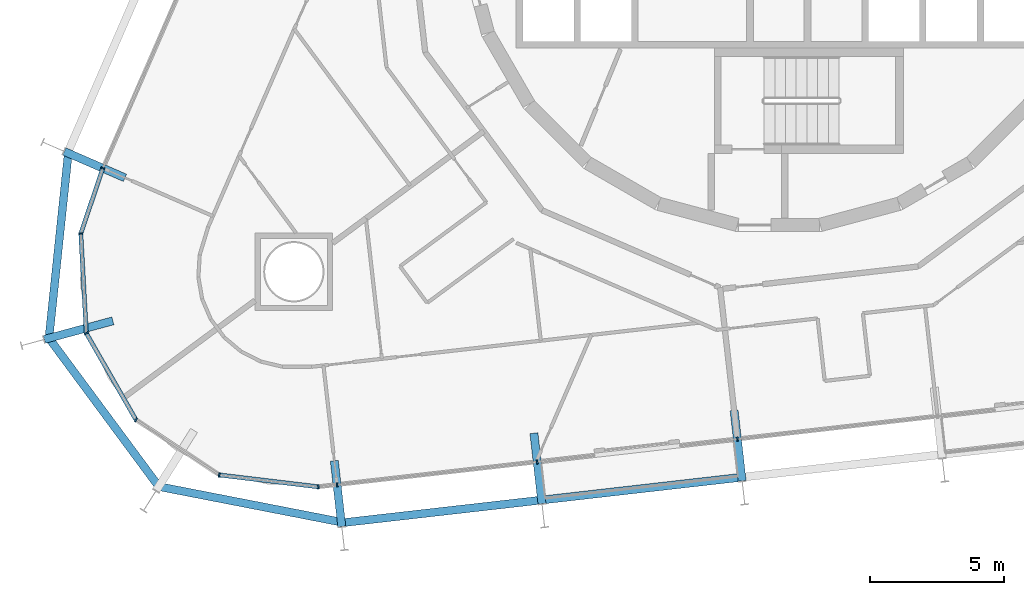
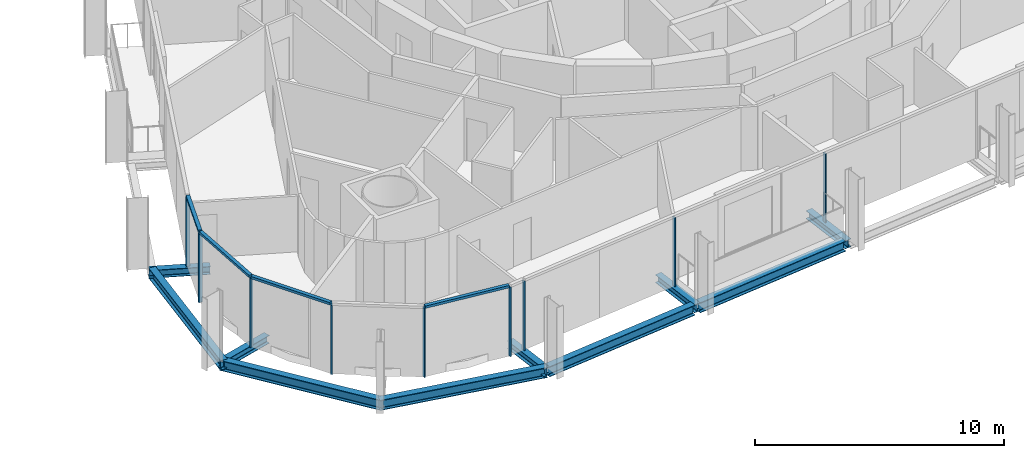
# One storey, part 3 of 23: 13 members, 10 beams, 2 elements without a shape of their own.
"""IFC4 building model written with IfcOpenShell, lengths in metres."""

import ifcopenshell
import ifcopenshell.guid

model = None  # the IFC model being written
_history = None  # IfcOwnerHistory: only IFC2X3 demands one
_inside = {}  # id of a spatial element -> (the spatial element, [elements in it])
_under = {}  # id of a project, library or spatial element -> (it, [spatial elements below it])
_declared = {}  # id of a project -> (the project, [libraries it declares])
_typed = {}  # id of a type object -> (the type object, [elements of that type])
_made_of = {}  # id of a material, layer set ... -> (it, [elements and type objects made of it])


def new_model(schema):
    """Start an empty IFC model of exactly this schema.

    Asked for "IFC4X3", IfcOpenShell would pick the latest addendum, in which some entities
    have other attributes; the version numbers below select the first issue.
    IFC2X3 requires an IfcOwnerHistory on every rooted entity: one is made here for all.
    """
    global model, _history
    if schema == "IFC4X3":
        model = ifcopenshell.file(schema_version=(4, 3, 0, 0))
    else:
        model = ifcopenshell.file(schema=schema)
    _inside.clear()
    _under.clear()
    _declared.clear()
    _typed.clear()
    _made_of.clear()
    _history = None
    if model.schema == "IFC2X3":
        org = make("IfcOrganization", Name="unknown")
        user = make(
            "IfcPersonAndOrganization",
            ThePerson=make("IfcPerson", FamilyName="unknown"),
            TheOrganization=org,
        )
        app = make(
            "IfcApplication",
            ApplicationDeveloper=org,
            Version="unknown",
            ApplicationFullName="unknown",
            ApplicationIdentifier="unknown",
        )
        _history = make(
            "IfcOwnerHistory",
            OwningUser=user,
            OwningApplication=app,
            ChangeAction="ADDED",
            CreationDate=0,
        )
    return model


def make(cls, **values):
    """One entity of the class cls with the attributes given. An attribute that is None is left unset."""
    return model.create_entity(
        cls, **{name: value for name, value in values.items() if value is not None}
    )


def rooted(cls, **values):
    """An entity with a GlobalId (a new one), such as an element, a storey or a relation."""
    return make(cls, GlobalId=ifcopenshell.guid.new(), OwnerHistory=_history, **values)


def si_unit(unit_type, name, prefix=None):
    """IfcSIUnit, for example si_unit("LENGTHUNIT", "METRE", prefix="MILLI")."""
    return make("IfcSIUnit", UnitType=unit_type, Prefix=prefix, Name=name)


def assignment(units):
    """IfcUnitAssignment: the units of a project."""
    return None if units is None else make("IfcUnitAssignment", Units=units)


def point(xyz):
    """IfcCartesianPoint."""
    return None if xyz is None else make("IfcCartesianPoint", Coordinates=xyz)


def direction(xyz):
    """IfcDirection."""
    return None if xyz is None else make("IfcDirection", DirectionRatios=xyz)


def frame(location, z_axis=None, x_axis=None):
    """IfcAxis2Placement3D, a coordinate frame: its origin and axes. An axis left out is left unset."""
    return make(
        "IfcAxis2Placement3D",
        Location=point(location),
        Axis=direction(z_axis),
        RefDirection=direction(x_axis),
    )


def frame_2d(location, x_axis=None):
    """IfcAxis2Placement2D, a coordinate frame in the plane: its origin and x axis."""
    return make(
        "IfcAxis2Placement2D", Location=point(location), RefDirection=direction(x_axis)
    )


def origin():
    """The frame at (0, 0, 0) with its axes left unset."""
    return frame((0.0, 0.0, 0.0))


def origin_2d():
    """The frame at (0, 0) in the plane with its x axis left unset."""
    return frame_2d((0.0, 0.0))


def place(relative_to, where):
    """IfcLocalPlacement: puts the frame where relative to a parent placement (None: the world)."""
    return make(
        "IfcLocalPlacement", PlacementRelTo=relative_to, RelativePlacement=where
    )


def context(
    kind, dimensions, precision=None, world=None, true_north=None, identifier=None
):
    """IfcGeometricRepresentationContext, for example the 3D "Model" context."""
    return make(
        "IfcGeometricRepresentationContext",
        ContextIdentifier=identifier,
        ContextType=kind,
        CoordinateSpaceDimension=dimensions,
        Precision=precision,
        WorldCoordinateSystem=world,
        TrueNorth=true_north,
    )


def subcontext(parent, identifier, kind, view, scale=None):
    """IfcGeometricRepresentationSubContext, for example "Body" below "Model"."""
    return make(
        "IfcGeometricRepresentationSubContext",
        ContextIdentifier=identifier,
        ContextType=kind,
        ParentContext=parent,
        TargetScale=scale,
        TargetView=view,
    )


def project(units=None, contexts=None):
    """IfcProject with its units and contexts."""
    return rooted(
        "IfcProject",
        Name="project",
        RepresentationContexts=contexts,
        UnitsInContext=assignment(units),
    )


def spatial(cls, under=None, at=None, **own):
    """A site, building, storey or space (cls), placed at a placement, below another one or the project."""
    s = rooted(cls, ObjectPlacement=at, **own)
    if under is not None:
        _under.setdefault(under.id(), (under, []))[1].append(s)
    return s


def profile(cls, at=None, kind="AREA", **sizes):
    """A parametric profile (cls). Its sizes go by their IFC names, for example OverallWidth=200.0."""
    return make(cls, ProfileType=kind, Position=at, **sizes)


def rectangle(**sizes):
    """IfcRectangleProfileDef."""
    return profile("IfcRectangleProfileDef", **sizes)


def i_section(**sizes):
    """IfcIShapeProfileDef."""
    return profile("IfcIShapeProfileDef", **sizes)


def extrude(swept, where, along, depth):
    """IfcExtrudedAreaSolid: the profile swept, set in the frame where, extruded along a direction by depth."""
    return make(
        "IfcExtrudedAreaSolid",
        SweptArea=swept,
        Position=where,
        ExtrudedDirection=direction(along),
        Depth=depth,
    )


def shape(context_of_items, identifier, shape_type, items):
    """IfcShapeRepresentation: the items that make up one representation, for example the "Body"."""
    return make(
        "IfcShapeRepresentation",
        ContextOfItems=context_of_items,
        RepresentationIdentifier=identifier,
        RepresentationType=shape_type,
        Items=items,
    )


def material(Name=None, Category=None):
    """IfcMaterial."""
    return make("IfcMaterial", Name=Name, Category=Category)


def layer(
    of_material, thickness, ventilated=None, Name=None, Category=None, Priority=None
):
    """IfcMaterialLayer: one layer of a wall or slab, of a material (None: an air gap)."""
    return make(
        "IfcMaterialLayer",
        Material=of_material,
        LayerThickness=thickness,
        IsVentilated=ventilated,
        Name=Name,
        Category=Category,
        Priority=Priority,
    )


def layer_set(layers, Name=None):
    """IfcMaterialLayerSet."""
    return make("IfcMaterialLayerSet", MaterialLayers=layers, LayerSetName=Name)


def material_profile(
    of_material, cross_section, Name=None, Category=None, Priority=None
):
    """IfcMaterialProfile: a cross section and its material."""
    return make(
        "IfcMaterialProfile",
        Name=Name,
        Material=of_material,
        Profile=cross_section,
        Priority=Priority,
        Category=Category,
    )


def profile_set(profiles, Name=None, composite=None):
    """IfcMaterialProfileSet."""
    return make(
        "IfcMaterialProfileSet",
        Name=Name,
        MaterialProfiles=profiles,
        CompositeProfile=composite,
    )


def made_of(thing, what):
    """Note that an element or type object is made of a material, layer set ...; save() writes the relation."""
    if what is not None:
        _made_of.setdefault(what.id(), (what, []))[1].append(thing)
    return thing


def type_object(cls, material=None, **own):
    """A type object (cls), such as IfcWallType, which elements share."""
    return made_of(rooted(cls, **own), material)


def element(
    cls,
    number,
    at=None,
    inside=None,
    cuts=None,
    type_object=None,
    material=None,
    context=None,
    identifier="Body",
    shape_type=None,
    held_by="IfcProductDefinitionShape",
    body=None,
    shapes=None,
    **own,
):
    """One element of the class cls, such as IfcWall. Its Tag is "e" and its number.

    at: its placement. inside: the storey or other place that contains it. cuts: it is an
    opening in that element (IfcRelVoidsElement). A single representation is given by context,
    identifier, shape_type and body (its items); several are given by shapes. held_by: the class
    of the entity that holds the representations. save() writes the other relations.
    """
    e = rooted(cls, Tag="e%d" % number, ObjectPlacement=at, **own)
    if body is not None:
        shapes = [shape(context, identifier, shape_type, body)]
    if shapes is not None:
        e.Representation = make(held_by, Representations=shapes)
    if inside is not None:
        _inside.setdefault(inside.id(), (inside, []))[1].append(e)
    if cuts is not None:
        rooted(
            "IfcRelVoidsElement", RelatingBuildingElement=cuts, RelatedOpeningElement=e
        )
    if type_object is not None:
        _typed.setdefault(type_object.id(), (type_object, []))[1].append(e)
    return made_of(e, material)


def aggregate(whole, parts):
    """IfcRelAggregates: a whole, such as a stair, and the parts it consists of."""
    return rooted("IfcRelAggregates", RelatingObject=whole, RelatedObjects=parts)


def save(model, path):
    """Write the relations noted so far, then the file.

    IfcRelAggregates (storeys below a building ...), IfcRelContainedInSpatialStructure (elements
    in a storey), IfcRelDefinesByType, IfcRelAssociatesMaterial and IfcRelDeclares: one each for
    every whole, place, type object, material and project.
    """
    for whole, parts in _under.values():
        aggregate(whole, parts)
    for where, things in _inside.values():
        rooted(
            "IfcRelContainedInSpatialStructure",
            RelatedElements=things,
            RelatingStructure=where,
        )
    for kind, things in _typed.values():
        rooted("IfcRelDefinesByType", RelatedObjects=things, RelatingType=kind)
    for what, things in _made_of.values():
        rooted("IfcRelAssociatesMaterial", RelatedObjects=things, RelatingMaterial=what)
    for by, libraries in _declared.values():
        rooted("IfcRelDeclares", RelatingContext=by, RelatedDefinitions=libraries)
    model.write(path)


model = new_model("IFC4")

# Units and contexts
model_context = context("Model", 3, precision=1e-05, world=origin(), true_north=direction((0.0, 1.0)))
body_context = subcontext(model_context, "Body", "Model", "MODEL_VIEW")
ifc_project = project(units=[si_unit("LENGTHUNIT", "METRE"), si_unit("AREAUNIT", "SQUARE_METRE"), si_unit("VOLUMEUNIT", "CUBIC_METRE"), si_unit("PLANEANGLEUNIT", "RADIAN"), si_unit("MASSUNIT", "GRAM", prefix="KILO")], contexts=[model_context])

# Site, building, storey
site_placement = place(None, origin())
site = spatial("IfcSite", under=ifc_project, at=site_placement, CompositionType="ELEMENT")
building_placement = place(site_placement, origin())
building = spatial("IfcBuilding", under=site, at=building_placement, Name="Spindle Arch Residences", CompositionType="ELEMENT")
storey_placement = place(building_placement, frame((0.0, 0.0, 83.699951171875)))
storey = spatial("IfcBuildingStorey", under=building, at=storey_placement, Name="L19", CompositionType="ELEMENT", Elevation=83.699951171875)

# Curtain wall, members
ifc_material_1 = material(Name="Aluminium bronze unitised frame with tinted glass", Category="aluminium")
ifc_layer_1 = layer(ifc_material_1, 0.159912109375)
ifc_layer_set_1 = layer_set([ifc_layer_1], Name="CW-D corner wall on the fillet arcs")
curtain_wall_type_1 = type_object("IfcCurtainWallType", Name="CW-D corner wall on the fillet arcs", PredefinedType="NOTDEFINED", material=ifc_layer_set_1)
curtain_wall_1_placement = place(storey_placement, origin())
curtain_wall_1 = element("IfcCurtainWall", 1, at=curtain_wall_1_placement, inside=storey, type_object=curtain_wall_type_1, Name="CW-D L19 run 5", PredefinedType="NOTDEFINED")
ifc_material_2 = material(Name="Aluminium bronze anodised mullion", Category="aluminium")
ifc_material_profile_1 = material_profile(ifc_material_2, rectangle(XDim=0.159912109375, YDim=0.06005859375, at=origin_2d()), Name="MU 60x160")
ifc_profile_set_1 = profile_set([ifc_material_profile_1], Name="Aluminium bronze anodised mullion")
member_type_1 = type_object("IfcMemberType", Name="Bronze mullion 60x160", PredefinedType="MULLION", material=ifc_profile_set_1)
member_1_placement = place(storey_placement, frame((-25.22900390625, -9.527099609375, -0.3798828125), z_axis=(0.0, 0.0, 1.0), x_axis=(0.947509671237, -0.319727106941, 0.0)))
member_1 = element("IfcMember", 2, at=member_1_placement, type_object=member_type_1, Name="CW-D mullion 00", PredefinedType="MULLION", context=body_context, shape_type="SweptSolid", body=[
    extrude(rectangle(XDim=0.159912109375, YDim=0.06005859375, at=origin_2d()), origin(), (0.0, 0.0, 1.0), 3.3798828125),
])
member_2_placement = place(storey_placement, frame((-26.052001953125, -11.96630859375, -0.3798828125), z_axis=(0.0, 0.0, 1.0), x_axis=(0.998473071057, 0.055240622495, 0.0)))
member_2 = element("IfcMember", 3, at=member_2_placement, type_object=member_type_1, Name="CW-D mullion 01", PredefinedType="MULLION", context=body_context, shape_type="SweptSolid", body=[
    extrude(rectangle(XDim=0.159912109375, YDim=0.06005859375, at=origin_2d()), origin(), (0.0, 0.0, 1.0), 3.3798828125),
])
member_3_placement = place(storey_placement, frame((-25.84619140625, -15.687255859375, -0.3798828125), z_axis=(0.0, 0.0, 1.0), x_axis=(0.867476179247, 0.497478721595, 0.0)))
member_3 = element("IfcMember", 4, at=member_3_placement, type_object=member_type_1, Name="CW-D mullion 02", PredefinedType="MULLION", context=body_context, shape_type="SweptSolid", body=[
    extrude(rectangle(XDim=0.159912109375, YDim=0.06005859375, at=origin_2d()), origin(), (0.0, 0.0, 1.0), 3.3798828125),
])
member_4_placement = place(storey_placement, frame((-23.9921875, -18.920166015625, -0.3798828125), z_axis=(0.0, 0.0, 1.0), x_axis=(0.551936987903, 0.833885820352, 0.0)))
member_4 = element("IfcMember", 5, at=member_4_placement, type_object=member_type_1, Name="CW-D mullion 03", PredefinedType="MULLION", context=body_context, shape_type="SweptSolid", body=[
    extrude(rectangle(XDim=0.159912109375, YDim=0.06005859375, at=origin_2d()), origin(), (0.0, 0.0, 1.0), 3.3798828125),
])
member_5_placement = place(storey_placement, frame((-20.884521484375, -20.97705078125, -0.3798828125), z_axis=(0.0, 0.0, 1.0), x_axis=(0.118981636756, 0.992896454881, 0.0)))
member_5 = element("IfcMember", 6, at=member_5_placement, type_object=member_type_1, Name="CW-D mullion 04", PredefinedType="MULLION", context=body_context, shape_type="SweptSolid", body=[
    extrude(rectangle(XDim=0.159912109375, YDim=0.06005859375, at=origin_2d()), origin(), (0.0, 0.0, 1.0), 3.3798828125),
])
member_6_placement = place(storey_placement, frame((-17.18408203125, -21.42041015625, -0.3798828125), z_axis=(0.0, 0.0, 1.0), x_axis=(-0.113203213768, 0.993571855677, 0.0)))
member_6 = element("IfcMember", 7, at=member_6_placement, type_object=member_type_1, Name="CW-D mullion 05", PredefinedType="MULLION", context=body_context, shape_type="SweptSolid", body=[
    extrude(rectangle(XDim=0.159912109375, YDim=0.06005859375, at=origin_2d()), origin(), (0.0, 0.0, 1.0), 3.3798828125),
])

ifc_material_3 = material(Name="Aluminium bronze unitised frame with tinted glass", Category="aluminium")
ifc_layer_2 = layer(ifc_material_3, 0.159912109375)
ifc_layer_set_2 = layer_set([ifc_layer_2], Name="CW-C typical residential unitised wall")
curtain_wall_type_2 = type_object("IfcCurtainWallType", Name="CW-C typical residential unitised wall", PredefinedType="NOTDEFINED", material=ifc_layer_set_2)
curtain_wall_2_placement = place(storey_placement, origin())
curtain_wall_2 = element("IfcCurtainWall", 8, at=curtain_wall_2_placement, inside=storey, type_object=curtain_wall_type_2, Name="CW-C L19 run 6", PredefinedType="NOTDEFINED")
member_7_placement = place(storey_placement, frame((-16.487060546875, -21.341064453125, -0.3798828125), z_axis=(0.0, 0.0, 1.0), x_axis=(-0.113203213768, 0.993571855677, 0.0)))
member_7 = element("IfcMember", 9, at=member_7_placement, type_object=member_type_1, Name="CW-C mullion 21", PredefinedType="MULLION", context=body_context, shape_type="SweptSolid", body=[
    extrude(rectangle(XDim=0.159912109375, YDim=0.06005859375, at=origin_2d()), origin(), (0.0, 0.0, 1.0), 3.3798828125),
])
member_8_placement = place(storey_placement, frame((-9.0166015625, -20.489990234375, -0.3798828125), z_axis=(0.0, 0.0, 1.0), x_axis=(-0.113203213768, 0.993571855677, 0.0)))
member_8 = element("IfcMember", 10, at=member_8_placement, type_object=member_type_1, Name="CW-C mullion 22", PredefinedType="MULLION", context=body_context, shape_type="SweptSolid", body=[
    extrude(rectangle(XDim=0.159912109375, YDim=0.06005859375, at=origin_2d()), origin(), (0.0, 0.0, 1.0), 3.3798828125),
])
member_9_placement = place(storey_placement, frame((-1.546142578125, -19.638671875, -0.3798828125), z_axis=(0.0, 0.0, 1.0), x_axis=(-0.113203213768, 0.993571855677, 0.0)))
member_9 = element("IfcMember", 11, at=member_9_placement, type_object=member_type_1, Name="CW-C mullion 23", PredefinedType="MULLION", context=body_context, shape_type="SweptSolid", body=[
    extrude(rectangle(XDim=0.159912109375, YDim=0.06005859375, at=origin_2d()), origin(), (0.0, 0.0, 1.0), 3.3798828125),
])
aggregate(curtain_wall_2, [member_7, member_8, member_9])

# Member
ifc_material_4 = material(Name="Aluminium bronze anodised transom", Category="aluminium")
ifc_material_profile_2 = material_profile(ifc_material_4, rectangle(XDim=0.159912109375, YDim=0.1201171875, at=origin_2d()), Name="TR 120x160")
ifc_profile_set_2 = profile_set([ifc_material_profile_2], Name="Aluminium bronze anodised transom")
member_type_2 = type_object("IfcMemberType", Name="Bronze transom 120x160", PredefinedType="USERDEFINED", material=ifc_profile_set_2)
member_10_placement = place(storey_placement, frame((-25.238525390625, -9.5556640625, 3.06005859375), z_axis=(-0.319779733892, -0.947491911201, 0.0), x_axis=(0.947491911201, -0.319779733892, 0.0)))
member_10 = element("IfcMember", 12, at=member_10_placement, type_object=member_type_2, Name="CW-D transom 00", ObjectType="TRANSOM", PredefinedType="USERDEFINED", context=body_context, shape_type="SweptSolid", body=[
    extrude(rectangle(XDim=0.159912109375, YDim=0.1201171875, at=origin_2d()), origin(), (0.0, 0.0, 1.0), 2.51416015625),
])

member_11_placement = place(storey_placement, frame((-26.05029296875, -11.99609375, 3.06005859375), z_axis=(0.055197130558, -0.998475476303, 0.0), x_axis=(0.998475476303, 0.055197130558, 0.0)))
member_11 = element("IfcMember", 13, at=member_11_placement, type_object=member_type_2, Name="CW-D transom 01", ObjectType="TRANSOM", PredefinedType="USERDEFINED", context=body_context, shape_type="SweptSolid", body=[
    extrude(rectangle(XDim=0.159912109375, YDim=0.1201171875, at=origin_2d()), origin(), (0.0, 0.0, 1.0), 3.666748046875),
])

member_12_placement = place(storey_placement, frame((-25.831298828125, -15.71337890625, 3.06005859375), z_axis=(0.497515065253, -0.867455335937, 0.0), x_axis=(0.867455335937, 0.497515065253, 0.0)))
member_12 = element("IfcMember", 14, at=member_12_placement, type_object=member_type_2, Name="CW-D transom 02", ObjectType="TRANSOM", PredefinedType="USERDEFINED", context=body_context, shape_type="SweptSolid", body=[
    extrude(rectangle(XDim=0.159912109375, YDim=0.1201171875, at=origin_2d()), origin(), (0.0, 0.0, 1.0), 3.666748046875),
])

member_13_placement = place(storey_placement, frame((-20.854736328125, -20.980712890625, 3.06005859375), z_axis=(0.992896987084, -0.118977195462, 0.0), x_axis=(0.118977195462, 0.992896987084, 0.0)))
member_13 = element("IfcMember", 15, at=member_13_placement, type_object=member_type_2, Name="CW-D transom 04", ObjectType="TRANSOM", PredefinedType="USERDEFINED", context=body_context, shape_type="SweptSolid", body=[
    extrude(rectangle(XDim=0.159912109375, YDim=0.1201171875, at=origin_2d()), origin(), (0.0, 0.0, 1.0), 3.6669921875),
])

aggregate(curtain_wall_1, [member_1, member_10, member_2, member_11, member_3, member_12, member_4, member_5, member_13, member_6])

# Beams
ifc_material_5 = material(Name="Steel S460ML, intumescent coating R 120", Category="steel")
ifc_material_profile_3 = material_profile(ifc_material_5, i_section(OverallWidth=0.300048828125, OverallDepth=0.5, WebThickness=0.014404296875, FlangeThickness=0.028076171875, FilletRadius=0.027099609375, at=origin_2d()), Name="HEB 500")
ifc_profile_set_3 = profile_set([ifc_material_profile_3], Name="Steel S460ML, intumescent coating R 120")
beam_type_1 = type_object("IfcBeamType", Name="Exoskeleton edge beam HEB 500", PredefinedType="BEAM", material=ifc_profile_set_3)
beam_1_placement = place(storey_placement, frame((-26.509521484375, -8.8935546875, -0.6298828125), z_axis=(-0.104068514681, -0.994570130384, 0.0), x_axis=(0.994570130384, -0.104068514681, 0.0)))
element("IfcBeam", 16, at=beam_1_placement, inside=storey, type_object=beam_type_1, Name="Exoskeleton edge beam 19", PredefinedType="BEAM", context=body_context, shape_type="SweptSolid", body=[
    extrude(i_section(OverallWidth=0.300048828125, OverallDepth=0.5, WebThickness=0.014404296875, FlangeThickness=0.028076171875, FilletRadius=0.027099609375, at=origin_2d()), origin(), (0.0, 0.0, 1.0), 7.09423828125),
])
beam_2_placement = place(storey_placement, frame((-27.297607421875, -15.791259765625, -0.6298828125), z_axis=(0.594811393653, -0.803865290942, 0.0), x_axis=(0.803865290942, 0.594811393653, 0.0)))
element("IfcBeam", 17, at=beam_2_placement, inside=storey, type_object=beam_type_1, Name="Exoskeleton edge beam 20", PredefinedType="BEAM", context=body_context, shape_type="SweptSolid", body=[
    extrude(i_section(OverallWidth=0.300048828125, OverallDepth=0.5, WebThickness=0.014404296875, FlangeThickness=0.028076171875, FilletRadius=0.027099609375, at=origin_2d()), origin(), (0.0, 0.0, 1.0), 7.08642578125),
])
beam_3_placement = place(storey_placement, frame((-23.218994140625, -21.39404296875, -0.6298828125), z_axis=(0.981537577594, -0.191269401033, 0.0), x_axis=(0.191269401033, 0.981537577594, 0.0)))
element("IfcBeam", 18, at=beam_3_placement, inside=storey, type_object=beam_type_1, Name="Exoskeleton edge beam 21", PredefinedType="BEAM", context=body_context, shape_type="SweptSolid", body=[
    extrude(i_section(OverallWidth=0.300048828125, OverallDepth=0.5, WebThickness=0.014404296875, FlangeThickness=0.028076171875, FilletRadius=0.027099609375, at=origin_2d()), origin(), (0.0, 0.0, 1.0), 7.09423828125),
])
for number, where, z_axis, x_axis, name in (
    (19, (-16.19580078125, -22.750244140625, -0.6298828125), (0.993570992395, 0.11321079044, 0.0), (-0.11321079044, 0.993570992395, 0.0), "Exoskeleton edge beam 22"),
    (20, (-8.725341796875, -21.899169921875, -0.6298828125), (0.993570992395, 0.11321079044, 0.0), (-0.11321079044, 0.993570992395, 0.0), "Exoskeleton edge beam 23"),
):
    element("IfcBeam", number, at=place(storey_placement, frame(where, z_axis=z_axis, x_axis=x_axis)), inside=storey, type_object=beam_type_1, Name=name, PredefinedType="BEAM", context=body_context, shape_type="SweptSolid", body=[
        extrude(i_section(OverallWidth=0.300048828125, OverallDepth=0.5, WebThickness=0.014404296875, FlangeThickness=0.028076171875, FilletRadius=0.027099609375, at=origin_2d()), origin(), (0.0, 0.0, 1.0), 7.2587890625),
    ])
ifc_material_6 = material(Name="Steel S460ML, intumescent coating R 120", Category="steel")
ifc_material_profile_4 = material_profile(ifc_material_6, i_section(OverallWidth=0.300048828125, OverallDepth=0.389892578125, WebThickness=0.010986328125, FlangeThickness=0.01904296875, FilletRadius=0.027099609375, at=origin_2d()), Name="HEA 400")
ifc_profile_set_4 = profile_set([ifc_material_profile_4], Name="Steel S460ML, intumescent coating R 120")
beam_type_2 = type_object("IfcBeamType", Name="Floor outrigger HEA 400", PredefinedType="BEAM", material=ifc_profile_set_4)
beam_4_placement = place(storey_placement, frame((-26.668701171875, -8.901123046875, -0.574951171875), z_axis=(0.917057489876, -0.398755012836, 0.0), x_axis=(0.398755012836, 0.917057489876, 0.0)))
element("IfcBeam", 21, at=beam_4_placement, inside=storey, type_object=beam_type_2, Name="Floor outrigger 19", PredefinedType="BEAM", context=body_context, shape_type="SweptSolid", body=[
    extrude(i_section(OverallWidth=0.300048828125, OverallDepth=0.389892578125, WebThickness=0.010986328125, FlangeThickness=0.01904296875, FilletRadius=0.027099609375, at=origin_2d()), origin(), (0.0, 0.0, 1.0), 2.47119140625),
])
beam_5_placement = place(storey_placement, frame((-27.41259765625, -15.918212890625, -0.574951171875), z_axis=(0.965139144412, 0.261737333837, 0.0), x_axis=(-0.261737333837, 0.965139144412, 0.0)))
element("IfcBeam", 22, at=beam_5_placement, inside=storey, type_object=beam_type_2, Name="Floor outrigger 20", PredefinedType="BEAM", context=body_context, shape_type="SweptSolid", body=[
    extrude(i_section(OverallWidth=0.300048828125, OverallDepth=0.389892578125, WebThickness=0.010986328125, FlangeThickness=0.01904296875, FilletRadius=0.027099609375, at=origin_2d()), origin(), (0.0, 0.0, 1.0), 2.64990234375),
])
beam_6_placement = place(storey_placement, frame((-16.309326171875, -22.90087890625, -0.574951171875), z_axis=(-0.113228917078, 0.993568926818, 0.0), x_axis=(-0.993568926818, -0.113228917078, 0.0)))
element("IfcBeam", 23, at=beam_6_placement, inside=storey, type_object=beam_type_2, Name="Floor outrigger 22", PredefinedType="BEAM", context=body_context, shape_type="SweptSolid", body=[
    extrude(i_section(OverallWidth=0.300048828125, OverallDepth=0.389892578125, WebThickness=0.010986328125, FlangeThickness=0.01904296875, FilletRadius=0.027099609375, at=origin_2d()), origin(), (0.0, 0.0, 1.0), 2.470947265625),
])
beam_7_placement = place(storey_placement, frame((-8.8388671875, -22.0498046875, -0.574951171875), z_axis=(-0.113232173128, 0.993568555747, 0.0), x_axis=(-0.993568555747, -0.113232173128, 0.0)))
element("IfcBeam", 24, at=beam_7_placement, inside=storey, type_object=beam_type_2, Name="Floor outrigger 23", PredefinedType="BEAM", context=body_context, shape_type="SweptSolid", body=[
    extrude(i_section(OverallWidth=0.300048828125, OverallDepth=0.389892578125, WebThickness=0.010986328125, FlangeThickness=0.01904296875, FilletRadius=0.027099609375, at=origin_2d()), origin(), (0.0, 0.0, 1.0), 2.64990234375),
])
beam_8_placement = place(storey_placement, frame((-1.368408203125, -21.19873046875, -0.574951171875), z_axis=(-0.113221808681, 0.993569736878, 0.0), x_axis=(-0.993569736878, -0.113221808681, 0.0)))
element("IfcBeam", 25, at=beam_8_placement, inside=storey, type_object=beam_type_2, Name="Floor outrigger 24", PredefinedType="BEAM", context=body_context, shape_type="SweptSolid", body=[
    extrude(i_section(OverallWidth=0.300048828125, OverallDepth=0.389892578125, WebThickness=0.010986328125, FlangeThickness=0.01904296875, FilletRadius=0.027099609375, at=origin_2d()), origin(), (0.0, 0.0, 1.0), 2.650146484375),
])

save(model, "model.ifc")
